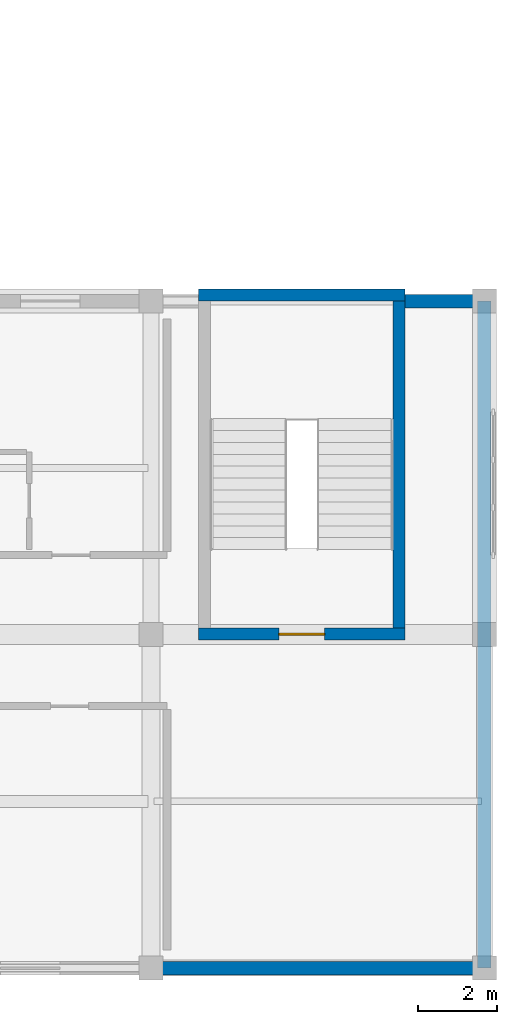
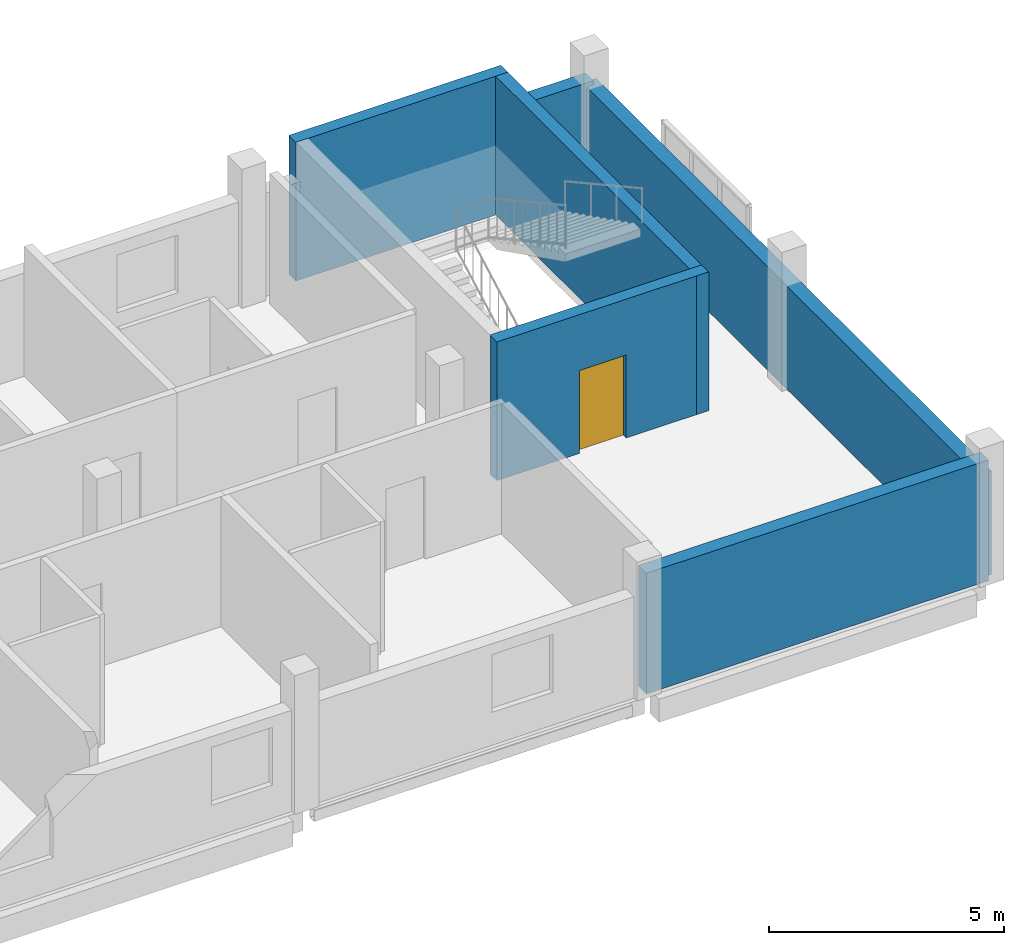
# One storey, part 21 of 24: 6 walls, 1 door, 1 opening.
"""IFC4 building model written with IfcOpenShell, lengths in metres."""

from ifc_helpers import new_model, si_unit, derived_unit, direction, frame, frame_2d, origin, place, context, subcontext, project, spatial, rectangle, extrude, material, layer, layer_set, type_object, element, fill, save


model = new_model("IFC4")

# Units and contexts
model_context = context("Model", 3, precision=1e-05, world=origin(), true_north=direction((0.0, 1.0)))
body_context = subcontext(model_context, "Body", "Model", "MODEL_VIEW")
ifc_project = project(units=[si_unit("LENGTHUNIT", "METRE"), si_unit("AREAUNIT", "SQUARE_METRE"), si_unit("VOLUMEUNIT", "CUBIC_METRE"), si_unit("PLANEANGLEUNIT", "RADIAN"), si_unit("MASSUNIT", "GRAM", prefix="KILO"), derived_unit("THERMALTRANSMITTANCEUNIT", [(si_unit("POWERUNIT", "WATT"), 1), (si_unit("LENGTHUNIT", "METRE"), -2), (si_unit("THERMODYNAMICTEMPERATUREUNIT", "KELVIN"), -1)])], contexts=[model_context])

# Site, building, storey
site_placement = place(None, origin())
site = spatial("IfcSite", under=ifc_project, at=site_placement, CompositionType="ELEMENT")
building_placement = place(site_placement, origin())
building = spatial("IfcBuilding", under=site, at=building_placement, Name="Barrovel Congress Hotel", CompositionType="ELEMENT")
storey_placement = place(building_placement, frame((0.0, 0.0, 29.10009765625)))
storey = spatial("IfcBuildingStorey", under=building, at=storey_placement, Name="L07", CompositionType="ELEMENT", Elevation=29.10009765625)

# Walls
ifc_material_1 = material(Name="Fired Clay Brick Masonry", Category="masonry")
ifc_layer_1 = layer(ifc_material_1, 0.340087890625)
ifc_layer_set_1 = layer_set([ifc_layer_1], Name="Fired Clay Brick Masonry")
wall_type_1 = type_object("IfcWallType", Name="EW-BRK340", PredefinedType="STANDARD", material=ifc_layer_set_1)
wall_1_placement = place(storey_placement, frame((151.199951171875, 4.199951171875, 0.0), z_axis=(0.0, 0.0, 1.0), x_axis=(0.0, 1.0, 0.0)))
element("IfcWall", 1, at=wall_1_placement, inside=storey, type_object=wall_type_1, Name="EW:L07:HS-E", PredefinedType="STANDARD", context=body_context, shape_type="SweptSolid", body=[
    extrude(rectangle(XDim=16.800048828125, YDim=0.340087890625, at=frame_2d((8.39990234375, 0.0))), origin(), (0.0, 0.0, 1.0), 2.679931640625),
])
wall_2_placement = place(storey_placement, frame((151.199951171875, 21.0, 0.0), z_axis=(0.0, 0.0, 1.0), x_axis=(-1.0, 0.0, 0.0)))
element("IfcWall", 2, at=wall_2_placement, inside=storey, type_object=wall_type_1, Name="EW:L07:HS-NE-1", PredefinedType="STANDARD", context=body_context, shape_type="SweptSolid", body=[
    extrude(rectangle(XDim=2.0, YDim=0.340087890625, at=frame_2d((1.0, 0.0))), origin(), (0.0, 0.0, 1.0), 2.77978515625),
])
wall_3_placement = place(storey_placement, frame((142.800048828125, 4.199951171875, 0.0), z_axis=(0.0, 0.0, 1.0), x_axis=(1.0, 0.0, 0.0)))
element("IfcWall", 3, at=wall_3_placement, inside=storey, type_object=wall_type_1, Name="EW:L07:HS-S:P13", PredefinedType="STANDARD", context=body_context, shape_type="SweptSolid", body=[
    extrude(rectangle(XDim=8.39990234375, YDim=0.340087890625, at=frame_2d((4.199951171875, 0.0))), origin(), (0.0, 0.0, 1.0), 3.1328125),
])

# Wall, opening, door
ifc_material_2 = material(Name="Concrete C40", Category="concrete")
ifc_layer_2 = layer(ifc_material_2, 0.300048828125)
ifc_layer_set_2 = layer_set([ifc_layer_2], Name="Concrete C40")
wall_type_2 = type_object("IfcWallType", Name="SW-C40-300", PredefinedType="SHEAR", material=ifc_layer_set_2)
wall_4_placement = place(storey_placement, frame((144.0, 12.610107421875, 0.0), z_axis=(0.0, 0.0, 1.0), x_axis=(1.0, 0.0, 0.0)))
wall_4 = element("IfcWall", 4, at=wall_4_placement, inside=storey, type_object=wall_type_2, Name="SHW:XS-04:L07:S", PredefinedType="SHEAR", context=body_context, shape_type="SweptSolid", body=[
    extrude(rectangle(XDim=5.199951171875, YDim=0.300048828125, at=frame_2d((2.60009765625, 0.0))), origin(), (0.0, 0.0, 1.0), 3.599853515625),
])
opening_placement = place(wall_4_placement, frame((2.02490234375, 0.0, 0.0)))
opening = element("IfcOpeningElement", 5, at=opening_placement, cuts=wall_4, Name="Opening ID-ST1", PredefinedType="OPENING", context=body_context, shape_type="SweptSolid", body=[
    extrude(rectangle(XDim=1.14990234375, YDim=2.14990234375, at=frame_2d((0.574951171875, 1.074951171875))), frame((0.0, 0.16015625, 0.0), z_axis=(0.0, -1.0, 0.0), x_axis=(1.0, 0.0, 0.0)), (0.0, 0.0, 1.0), 0.320068359375),
])
ifc_material_3 = material(Name="Painted Hollow-Metal Steel Door", Category="steel")
door_type = type_object("IfcDoorType", Name="IDR-ID-ST1", OperationType="NOTDEFINED", PredefinedType="DOOR", material=ifc_material_3)
door_placement = place(opening_placement, origin())
door = element("IfcDoor", 6, at=door_placement, inside=storey, type_object=door_type, Name="Stair Core Fire Door XS-04-L07", OperationType="SINGLE_SWING_RIGHT", OverallHeight=2.14990234375, OverallWidth=1.14990234375, PredefinedType="DOOR", context=body_context, shape_type="SweptSolid", body=[
    extrude(rectangle(XDim=1.14990234375, YDim=2.14990234375, at=frame_2d((0.574951171875, 1.074951171875))), frame((0.0, 0.02490234375, 0.0), z_axis=(0.0, -1.0, 0.0), x_axis=(1.0, 0.0, 0.0)), (0.0, 0.0, 1.0), 0.050048828125),
])
fill(opening, door)

# Walls
wall_5_placement = place(storey_placement, frame((149.050048828125, 12.4599609375, 0.0), z_axis=(0.0, 0.0, 1.0), x_axis=(0.0, 1.0, 0.0)))
element("IfcWall", 7, at=wall_5_placement, inside=storey, type_object=wall_type_2, Name="SHW:XS-04:L07:E", PredefinedType="SHEAR", context=body_context, shape_type="SweptSolid", body=[
    extrude(rectangle(XDim=8.840087890625, YDim=0.300048828125, at=frame_2d((4.419921875, 0.0))), origin(), (0.0, 0.0, 1.0), 3.599853515625),
])
wall_6_placement = place(storey_placement, frame((149.199951171875, 21.14990234375, 0.0), z_axis=(0.0, 0.0, 1.0), x_axis=(-1.0, 0.0, 0.0)))
element("IfcWall", 8, at=wall_6_placement, inside=storey, type_object=wall_type_2, Name="SHW:XS-04:L07:N", PredefinedType="SHEAR", context=body_context, shape_type="SweptSolid", body=[
    extrude(rectangle(XDim=5.199951171875, YDim=0.300048828125, at=frame_2d((2.60009765625, 0.0))), origin(), (0.0, 0.0, 1.0), 3.599853515625),
])

save(model, "model.ifc")
